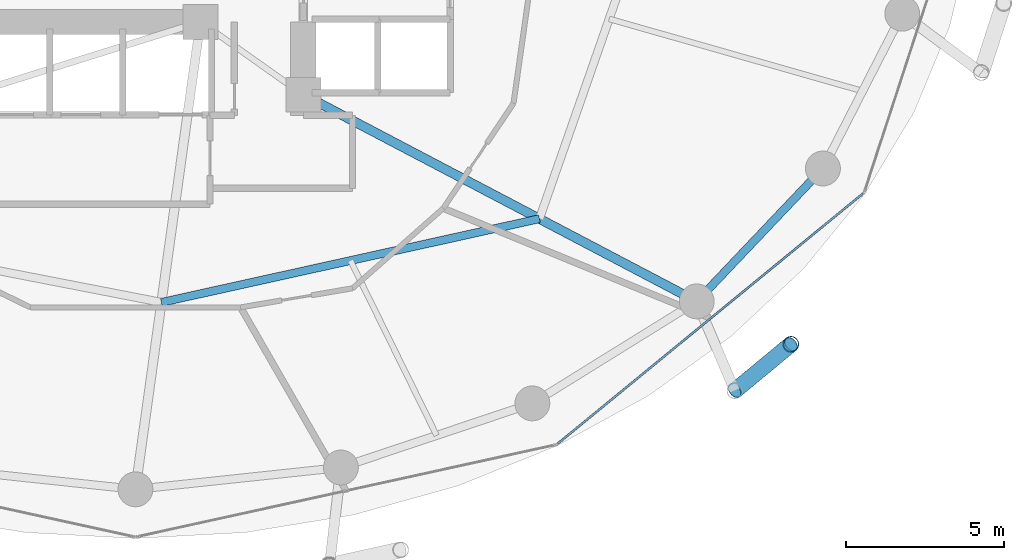
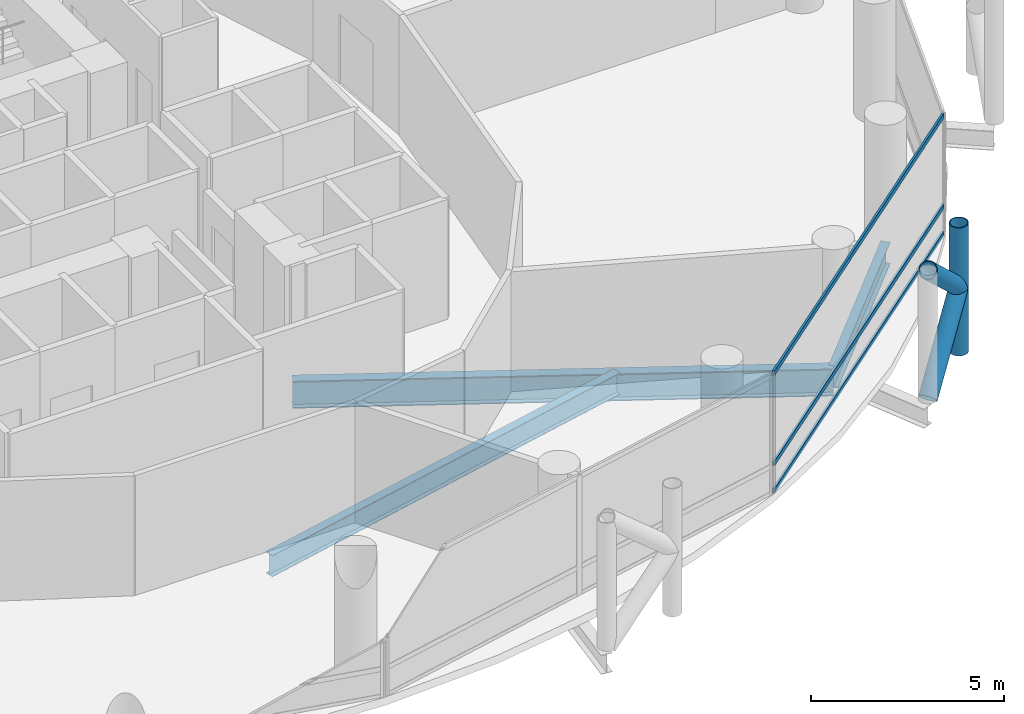
# One storey, part 9 of 24: 6 members, 3 beams, 1 element without a shape of its own.
"""IFC4 building model written with IfcOpenShell, lengths in metres."""

from ifc_helpers import new_model, si_unit, direction, frame, origin, origin_2d, place, context, subcontext, project, spatial, hollow_rectangle, hollow_circle, i_section, extrude, material, layer, layer_set, material_profile, profile_set, type_object, element, aggregate, save


model = new_model("IFC4")

# Units and contexts
model_context = context("Model", 3, precision=1e-05, world=origin(), true_north=direction((0.0, 1.0)))
body_context = subcontext(model_context, "Body", "Model", "MODEL_VIEW")
ifc_project = project(units=[si_unit("LENGTHUNIT", "METRE"), si_unit("AREAUNIT", "SQUARE_METRE"), si_unit("VOLUMEUNIT", "CUBIC_METRE"), si_unit("PLANEANGLEUNIT", "RADIAN"), si_unit("MASSUNIT", "GRAM", prefix="KILO")], contexts=[model_context])

# Site, building, storey
site_placement = place(None, origin())
site = spatial("IfcSite", under=ifc_project, at=site_placement, CompositionType="ELEMENT")
building_placement = place(site_placement, origin())
building = spatial("IfcBuilding", under=site, at=building_placement, Name="Nuhasar Tower", CompositionType="ELEMENT")
storey_placement = place(building_placement, frame((0.0, 0.0, 25.050048828125)))
storey = spatial("IfcBuildingStorey", under=building, at=storey_placement, Name="L05", CompositionType="ELEMENT", Elevation=25.050048828125)

# Beams
ifc_material_1 = material(Name="Steel S355", Category="steel")
ifc_material_profile_1 = material_profile(ifc_material_1, i_section(OverallWidth=0.25390625, OverallDepth=0.68408203125, WebThickness=0.012451171875, FlangeThickness=0.018798828125, at=origin_2d()), Name="W27X94")
ifc_profile_set_1 = profile_set([ifc_material_profile_1], Name="Steel S355")
beam_type_1 = type_object("IfcBeamType", Name="BM-INRING-W27X94", PredefinedType="BEAM", material=ifc_profile_set_1)
beam_1_placement = place(storey_placement, frame((39.820068359375, 12.449951171875, -0.60205078125), z_axis=(0.976386023343, 0.216033176665, 0.0), x_axis=(-0.216033176665, 0.976386023343, 0.0)))
element("IfcBeam", 1, at=beam_1_placement, inside=storey, type_object=beam_type_1, Name="L05 Inner Header Beam 02", PredefinedType="BEAM", context=body_context, shape_type="SweptSolid", body=[
    extrude(i_section(OverallWidth=0.25390625, OverallDepth=0.68408203125, WebThickness=0.012451171875, FlangeThickness=0.018798828125, at=origin_2d()), origin(), (0.0, 0.0, 1.0), 12.216552734375),
])
ifc_material_profile_2 = material_profile(ifc_material_1, i_section(OverallWidth=0.2919921875, OverallDepth=0.85888671875, WebThickness=0.01708984375, FlangeThickness=0.031005859375, at=origin_2d()), Name="W33X169")
ifc_profile_set_2 = profile_set([ifc_material_profile_2], Name="Steel S355")
beam_type_2 = type_object("IfcBeamType", Name="BM-POD-W33X169", PredefinedType="BEAM", material=ifc_profile_set_2)
beam_2_placement = place(storey_placement, frame((44.300048828125, 19.0, -0.68994140625), z_axis=(0.885330348705, -0.464962550816, 0.0), x_axis=(0.464962550816, 0.885330348705, 0.0)))
element("IfcBeam", 2, at=beam_2_placement, inside=storey, type_object=beam_type_2, Name="L05 Radial Floor Girder 03", PredefinedType="BEAM", context=body_context, shape_type="SweptSolid", body=[
    extrude(i_section(OverallWidth=0.2919921875, OverallDepth=0.85888671875, WebThickness=0.01708984375, FlangeThickness=0.031005859375, at=origin_2d()), origin(), (0.0, 0.0, 1.0), 14.0205078125),
])
ifc_material_profile_3 = material_profile(ifc_material_1, i_section(OverallWidth=0.256103515625, OverallDepth=0.693115234375, WebThickness=0.014404296875, FlangeThickness=0.023681640625, at=origin_2d()), Name="W27X114")
ifc_profile_set_3 = profile_set([ifc_material_profile_3], Name="Steel S355")
beam_type_3 = type_object("IfcBeamType", Name="BM-RING-W27X114", PredefinedType="SPANDREL", material=ifc_profile_set_3)
beam_3_placement = place(storey_placement, frame((56.712890625, 12.48095703125, -0.60595703125), z_axis=(0.688459812429, 0.725274490569, 0.0), x_axis=(-0.725274490569, 0.688459812429, 0.0)))
element("IfcBeam", 3, at=beam_3_placement, inside=storey, type_object=beam_type_3, Name="L05 Perimeter Ring Spandrel 22", PredefinedType="SPANDREL", context=body_context, shape_type="SweptSolid", body=[
    extrude(i_section(OverallWidth=0.256103515625, OverallDepth=0.693115234375, WebThickness=0.014404296875, FlangeThickness=0.023681640625, at=origin_2d()), origin(), (0.0, 0.0, 1.0), 5.78271484375),
])

# Curtain wall, members
ifc_material_2 = material(Name="Aluminium 6063-T6", Category="aluminium")
ifc_layer = layer(ifc_material_2, 0.199951171875)
ifc_layer_set = layer_set([ifc_layer], Name="Aluminium 6063-T6")
curtain_wall_type = type_object("IfcCurtainWallType", Name="CW-Z1-OFF", PredefinedType="NOTDEFINED", material=ifc_layer_set)
curtain_wall_placement = place(storey_placement, origin())
curtain_wall = element("IfcCurtainWall", 4, at=curtain_wall_placement, inside=storey, type_object=curtain_wall_type, Name="L05 Unitised Curtain Wall 11", PredefinedType="NOTDEFINED")
ifc_material_profile_4 = material_profile(ifc_material_2, hollow_rectangle(XDim=0.06494140625, YDim=0.14990234375, WallThickness=0.00439453125, at=origin_2d()), Name="CWT-2")
ifc_profile_set_4 = profile_set([ifc_material_profile_4], Name="Aluminium 6063-T6")
member_type_1 = type_object("IfcMemberType", Name="CW-TRN-S2", PredefinedType="USERDEFINED", material=ifc_profile_set_4)
member_1_placement = place(storey_placement, frame((52.330322265625, 7.99609375, 0.032470703125), z_axis=(0.773531229158, 0.633758185365, 0.0), x_axis=(-0.633758185365, 0.773531229158, 0.0)))
member_1 = element("IfcMember", 5, at=member_1_placement, type_object=member_type_1, Name="CW-Z1 transom 1.1", ObjectType="TRANSOM", PredefinedType="USERDEFINED", context=body_context, shape_type="SweptSolid", body=[
    extrude(hollow_rectangle(XDim=0.06494140625, YDim=0.14990234375, WallThickness=0.00439453125, at=origin_2d()), origin(), (0.0, 0.0, 1.0), 12.438232421875),
])
member_2_placement = place(storey_placement, frame((52.330322265625, 7.99609375, 0.89990234375), z_axis=(0.773531229158, 0.633758185365, 0.0), x_axis=(-0.633758185365, 0.773531229158, 0.0)))
member_2 = element("IfcMember", 6, at=member_2_placement, type_object=member_type_1, Name="CW-Z1 transom 1.2", ObjectType="TRANSOM", PredefinedType="USERDEFINED", context=body_context, shape_type="SweptSolid", body=[
    extrude(hollow_rectangle(XDim=0.06494140625, YDim=0.14990234375, WallThickness=0.00439453125, at=origin_2d()), origin(), (0.0, 0.0, 1.0), 12.438232421875),
])
member_3_placement = place(storey_placement, frame((52.330322265625, 7.99609375, 3.757568359375), z_axis=(0.773531229158, 0.633758185365, 0.0), x_axis=(-0.633758185365, 0.773531229158, 0.0)))
member_3 = element("IfcMember", 7, at=member_3_placement, type_object=member_type_1, Name="CW-Z1 transom 1.3", ObjectType="TRANSOM", PredefinedType="USERDEFINED", context=body_context, shape_type="SweptSolid", body=[
    extrude(hollow_rectangle(XDim=0.06494140625, YDim=0.14990234375, WallThickness=0.00439453125, at=origin_2d()), origin(), (0.0, 0.0, 1.0), 12.438232421875),
])
aggregate(curtain_wall, [member_1, member_2, member_3])

# Members
ifc_material_3 = material(Name="Steel S460", Category="steel")
ifc_material_profile_5 = material_profile(ifc_material_3, hollow_circle(Radius=0.25390625, WallThickness=0.025390625, at=origin_2d()), Name="HSS508X25.4")
ifc_profile_set_5 = profile_set([ifc_material_profile_5], Name="Steel S460")
member_type_2 = type_object("IfcMemberType", Name="EXO-BRONZE-508", PredefinedType="BRACE", material=ifc_profile_set_5)
member_4_placement = place(storey_placement, frame((59.68505859375, 11.12890625, 0.0), z_axis=(0.0, 0.0, 1.0), x_axis=(1.0, 0.0, 0.0)))
element("IfcMember", 8, at=member_4_placement, inside=storey, type_object=member_type_2, Name="L05 Exoskeleton Chord Column EC-11B", PredefinedType="BRACE", context=body_context, shape_type="SweptSolid", body=[
    extrude(hollow_circle(Radius=0.25390625, WallThickness=0.025390625, at=origin_2d()), origin(), (0.0, 0.0, 1.0), 4.050048828125),
])
member_5_placement = place(storey_placement, frame((57.9130859375, 9.660888671875, 0.0), z_axis=(0.578101613167, 0.478937034992, 0.660619286251), x_axis=(-0.637969333506, 0.770061769929, 0.0)))
element("IfcMember", 9, at=member_5_placement, inside=storey, type_object=member_type_2, Name="L05 Bronze Diagrid Brace W1-11", PredefinedType="BRACE", context=body_context, shape_type="SweptSolid", body=[
    extrude(hollow_circle(Radius=0.25390625, WallThickness=0.025390625, at=origin_2d()), origin(), (0.0, 0.0, 1.0), 3.065185546875),
])
member_6_placement = place(storey_placement, frame((59.68505859375, 11.12890625, 2.02490234375), z_axis=(-0.578071194894, -0.478911834514, 0.660664172175), x_axis=(0.637969333506, -0.770061769929, 0.0)))
element("IfcMember", 10, at=member_6_placement, inside=storey, type_object=member_type_2, Name="L05 Bronze Diagrid Brace W2-11", PredefinedType="BRACE", context=body_context, shape_type="SweptSolid", body=[
    extrude(hollow_circle(Radius=0.25390625, WallThickness=0.025390625, at=origin_2d()), origin(), (0.0, 0.0, 1.0), 3.0654296875),
])

save(model, "model.ifc")
